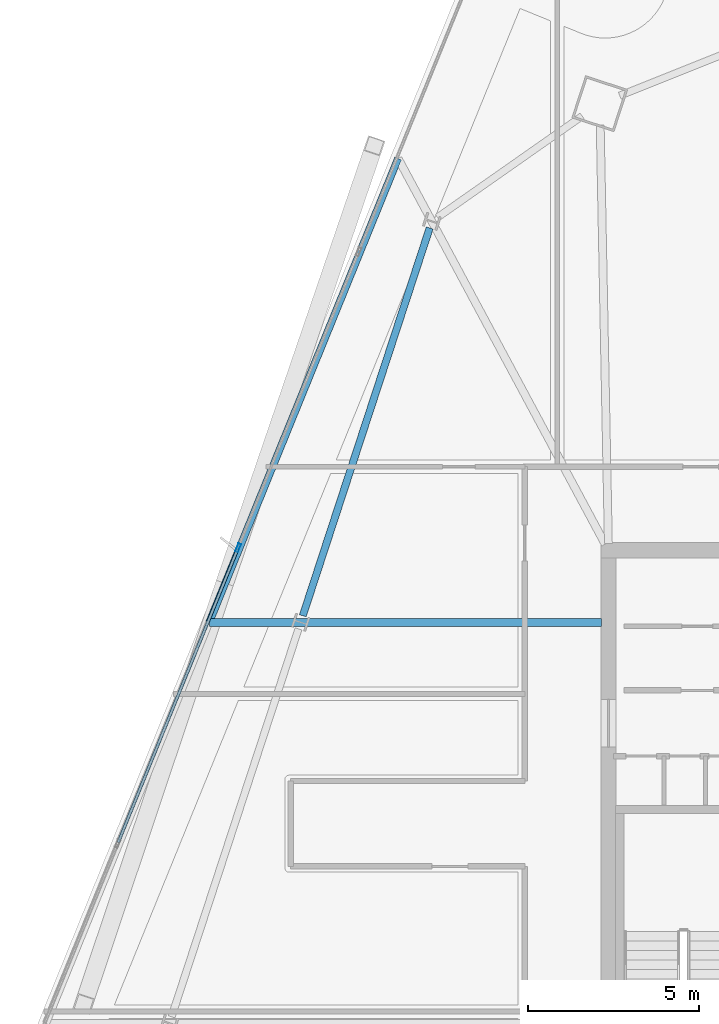
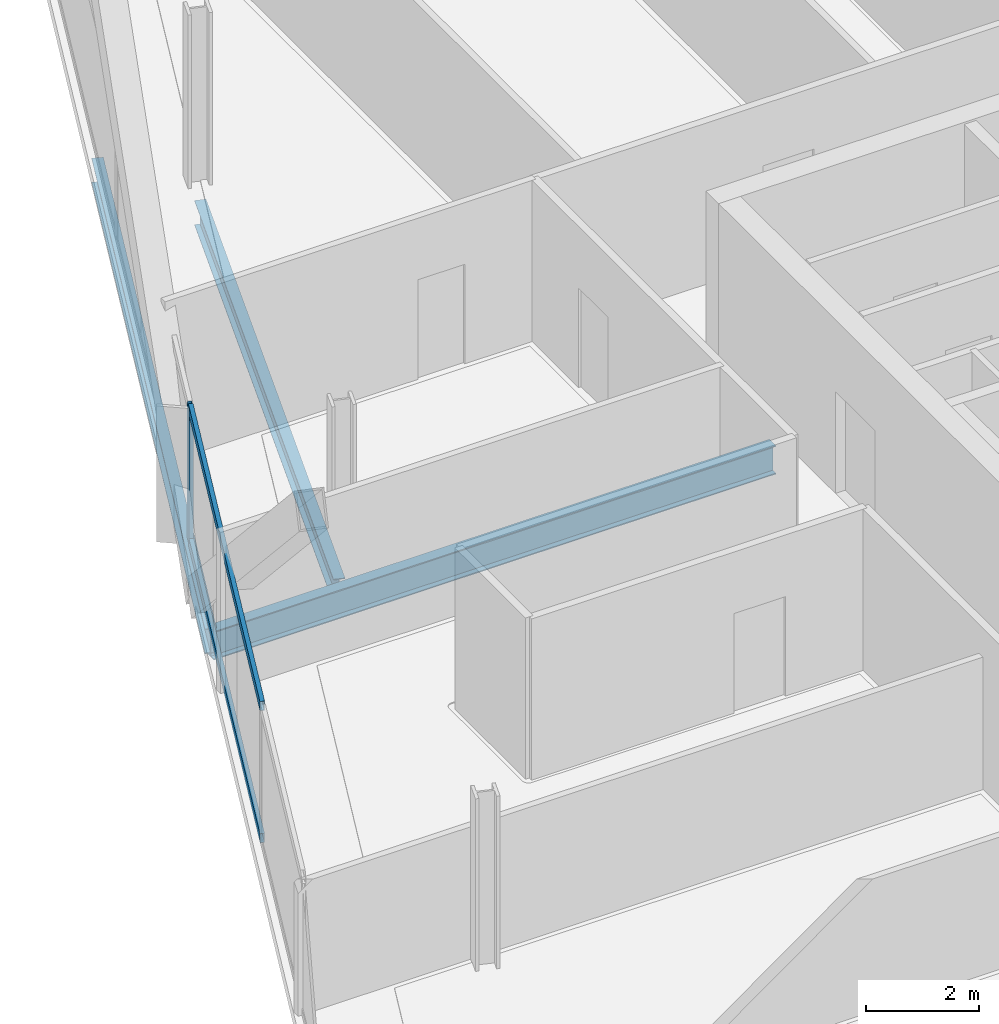
# One storey, part 16 of 31: 3 beams, 3 members, 1 element without a shape of its own.
"""IFC4 building model written with IfcOpenShell, lengths in metres."""

from ifc_helpers import new_model, si_unit, direction, frame, origin, origin_2d, place, context, subcontext, project, spatial, hollow_rectangle, i_section, extrude, material, material_profile, profile_set, type_object, element, aggregate, save


model = new_model("IFC4")

# Units and contexts
model_context = context("Model", 3, precision=1e-05, world=origin(), true_north=direction((0.0, 1.0)))
body_context = subcontext(model_context, "Body", "Model", "MODEL_VIEW")
ifc_project = project(units=[si_unit("LENGTHUNIT", "METRE"), si_unit("AREAUNIT", "SQUARE_METRE"), si_unit("VOLUMEUNIT", "CUBIC_METRE"), si_unit("PLANEANGLEUNIT", "RADIAN"), si_unit("MASSUNIT", "GRAM", prefix="KILO")], contexts=[model_context])

# Site, building, storey
site_placement = place(None, origin())
site = spatial("IfcSite", under=ifc_project, at=site_placement, CompositionType="ELEMENT")
building_placement = place(site_placement, origin())
building = spatial("IfcBuilding", under=site, at=building_placement, Name="Haldenkirk Collegiate Tower", CompositionType="ELEMENT")
storey_placement = place(building_placement, frame((0.0, 0.0, 256.199951171875)))
storey = spatial("IfcBuildingStorey", under=building, at=storey_placement, Name="L64", CompositionType="ELEMENT", Elevation=256.199951171875)

# Beams
ifc_material_1 = material(Name="Steel ASTM A992 Grade 50", Category="steel")
ifc_material_profile_1 = material_profile(ifc_material_1, i_section(OverallWidth=0.22998046875, OverallDepth=0.616943359375, WebThickness=0.01318359375, FlangeThickness=0.022216796875, at=origin_2d()), Name="W24X94")
ifc_profile_set_1 = profile_set([ifc_material_profile_1], Name="Steel ASTM A992 Grade 50")
beam_type_1 = type_object("IfcBeamType", Name="BM-GIRDER-W24X94", PredefinedType="BEAM", material=ifc_profile_set_1)
beam_1_placement = place(storey_placement, frame((15.3154296875, 31.8935546875, -0.578369140625), z_axis=(1.0, 0.0, 0.0), x_axis=(0.0, 1.0, 0.0)))
element("IfcBeam", 1, at=beam_1_placement, inside=storey, type_object=beam_type_1, Name="L64 primary floor girder 12", PredefinedType="BEAM", context=body_context, shape_type="SweptSolid", body=[
    extrude(i_section(OverallWidth=0.22998046875, OverallDepth=0.616943359375, WebThickness=0.01318359375, FlangeThickness=0.022216796875, at=origin_2d()), origin(), (0.0, 0.0, 1.0), 11.4794921875),
])
ifc_material_profile_2 = material_profile(ifc_material_1, i_section(OverallWidth=0.2099609375, OverallDepth=0.537109375, WebThickness=0.010986328125, FlangeThickness=0.017333984375, at=origin_2d()), Name="W21X68")
ifc_profile_set_2 = profile_set([ifc_material_profile_2], Name="Steel ASTM A992 Grade 50")
beam_type_2 = type_object("IfcBeamType", Name="BM-SPANDREL-W21X68", PredefinedType="SPANDREL", material=ifc_profile_set_2)
beam_2_placement = place(storey_placement, frame((21.76708984375, 43.436767578125, -0.538330078125), z_axis=(-0.311010188249, -0.950406577631, 0.0), x_axis=(0.950406577631, -0.311010188249, 0.0)))
element("IfcBeam", 2, at=beam_2_placement, inside=storey, type_object=beam_type_2, Name="L64 perimeter spandrel beam 10", PredefinedType="SPANDREL", context=body_context, shape_type="SweptSolid", body=[
    extrude(i_section(OverallWidth=0.2099609375, OverallDepth=0.537109375, WebThickness=0.010986328125, FlangeThickness=0.017333984375, at=origin_2d()), origin(), (0.0, 0.0, 1.0), 11.94287109375),
])
beam_3_placement = place(storey_placement, frame((20.842041015625, 45.469482421875, -0.538330078125), z_axis=(-0.377043974969, -0.92619535787, 0.0), x_axis=(0.92619535787, -0.377043974969, 0.0)))
element("IfcBeam", 3, at=beam_3_placement, inside=storey, type_object=beam_type_2, Name="L64 outer facade edge beam 3A", PredefinedType="SPANDREL", context=body_context, shape_type="SweptSolid", body=[
    extrude(i_section(OverallWidth=0.2099609375, OverallDepth=0.537109375, WebThickness=0.010986328125, FlangeThickness=0.017333984375, at=origin_2d()), origin(), (0.0, 0.0, 1.0), 14.65771484375),
])

# Curtain wall, members
ifc_material_2 = material(Name="Anodised architectural bronze aluminium", Category="aluminium")
curtain_wall_type = type_object("IfcCurtainWallType", Name="CW-SYS1B-CONVEX-HI", PredefinedType="USERDEFINED", material=ifc_material_2)
curtain_wall_placement = place(storey_placement, origin())
curtain_wall = element("IfcCurtainWall", 4, at=curtain_wall_placement, inside=storey, type_object=curtain_wall_type, Name="L64 Upper tower high-wind convex bronze unitised curtain wall", ObjectType="UNITISED CURTAIN WALL", PredefinedType="USERDEFINED")
ifc_material_profile_3 = material_profile(ifc_material_2, hollow_rectangle(XDim=0.0849609375, YDim=0.25, WallThickness=0.0048828125, at=origin_2d()), Name="CW-MUL-1B")
ifc_profile_set_3 = profile_set([ifc_material_profile_3], Name="Anodised architectural bronze aluminium")
member_type_1 = type_object("IfcMemberType", Name="CW-MUL-1B", PredefinedType="MULLION", material=ifc_profile_set_3)
member_1_placement = place(storey_placement, frame((16.16064453125, 34.075927734375, 0.0), z_axis=(0.0, 0.0, 1.0), x_axis=(-0.926198931916, 0.377035195329, 0.0)))
member_1 = element("IfcMember", 5, at=member_1_placement, type_object=member_type_1, Name="CW-1B mullion 3", PredefinedType="MULLION", context=body_context, shape_type="SweptSolid", body=[
    extrude(hollow_rectangle(XDim=0.0849609375, YDim=0.25, WallThickness=0.0048828125, at=origin_2d()), origin(), (0.0, 0.0, 1.0), 2.93798828125),
])
ifc_material_profile_4 = material_profile(ifc_material_2, hollow_rectangle(XDim=0.0849609375, YDim=0.199951171875, WallThickness=0.0048828125, at=origin_2d()), Name="CW-TRN-1B")
ifc_profile_set_4 = profile_set([ifc_material_profile_4], Name="Anodised architectural bronze aluminium")
member_type_2 = type_object("IfcMemberType", Name="CW-TRN-1B", PredefinedType="USERDEFINED", material=ifc_profile_set_4)
member_2_placement = place(storey_placement, frame((12.651611328125, 25.455322265625, 0.04248046875), z_axis=(0.377026512554, 0.926202466436, 0.0), x_axis=(-0.926202466436, 0.377026512554, 0.0)))
member_2 = element("IfcMember", 6, at=member_2_placement, type_object=member_type_2, Name="CW-1B transom 2.1", ObjectType="TRANSOM", PredefinedType="USERDEFINED", context=body_context, shape_type="SweptSolid", body=[
    extrude(hollow_rectangle(XDim=0.0849609375, YDim=0.199951171875, WallThickness=0.0048828125, at=origin_2d()), origin(), (0.0, 0.0, 1.0), 9.26513671875),
])
member_3_placement = place(storey_placement, frame((12.651611328125, 25.455322265625, 2.8955078125), z_axis=(0.377026512554, 0.926202466436, 0.0), x_axis=(-0.926202466436, 0.377026512554, 0.0)))
member_3 = element("IfcMember", 7, at=member_3_placement, type_object=member_type_2, Name="CW-1B transom 2.2", ObjectType="TRANSOM", PredefinedType="USERDEFINED", context=body_context, shape_type="SweptSolid", body=[
    extrude(hollow_rectangle(XDim=0.0849609375, YDim=0.199951171875, WallThickness=0.0048828125, at=origin_2d()), origin(), (0.0, 0.0, 1.0), 9.26513671875),
])
aggregate(curtain_wall, [member_1, member_2, member_3])

save(model, "model.ifc")
